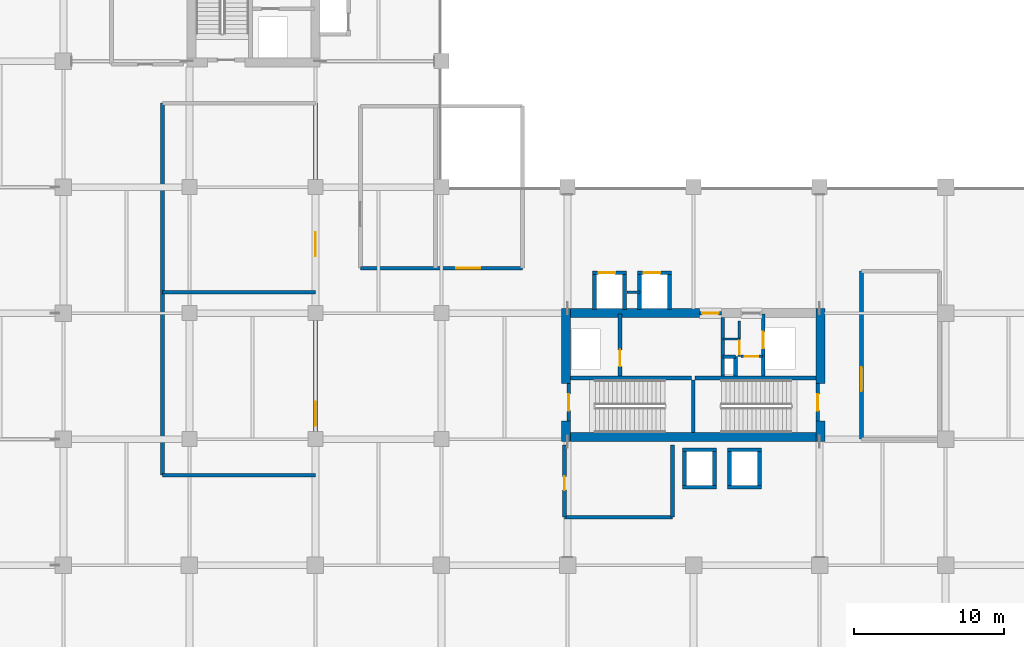
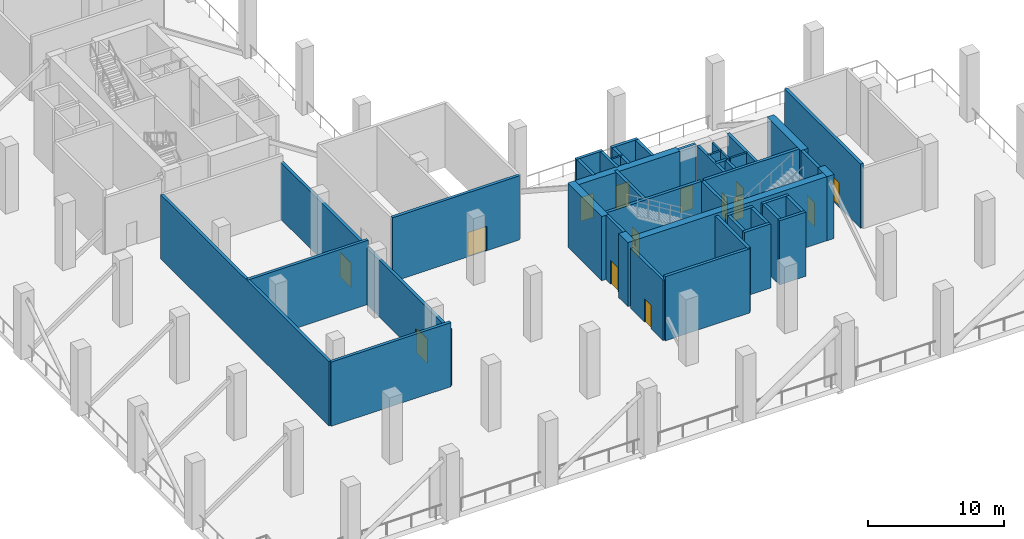
# One storey, part 11 of 18: 44 walls, 14 doors, 14 openings.
"""IFC4 building model written with IfcOpenShell, lengths in metres."""

from ifc_helpers import new_model, si_unit, direction, frame, frame_2d, origin, place, context, subcontext, project, spatial, rectangle, extrude, material, layer, layer_set, type_object, element, fill, save


model = new_model("IFC4")

# Units and contexts
model_context = context("Model", 3, precision=1e-05, world=origin(), true_north=direction((0.0, 1.0)))
body_context = subcontext(model_context, "Body", "Model", "MODEL_VIEW")
ifc_project = project(units=[si_unit("LENGTHUNIT", "METRE"), si_unit("AREAUNIT", "SQUARE_METRE"), si_unit("VOLUMEUNIT", "CUBIC_METRE"), si_unit("PLANEANGLEUNIT", "RADIAN"), si_unit("MASSUNIT", "GRAM", prefix="KILO")], contexts=[model_context])

# Site, building, storey
site_placement = place(None, origin())
site = spatial("IfcSite", under=ifc_project, at=site_placement, CompositionType="ELEMENT")
building_placement = place(site_placement, origin())
building = spatial("IfcBuilding", under=site, at=building_placement, Name="Koriwani Terraces Tower", CompositionType="ELEMENT")
storey_placement = place(building_placement, frame((0.0, 0.0, 228.199951171875)))
storey = spatial("IfcBuildingStorey", under=building, at=storey_placement, Name="L56", CompositionType="ELEMENT", Elevation=228.199951171875)

# Walls
ifc_material_1 = material(Name="Concrete C60/75", Category="concrete")
ifc_layer_1 = layer(ifc_material_1, 0.60009765625, Name="Concrete C60/75")
ifc_layer_set_1 = layer_set([ifc_layer_1], Name="Concrete C60/75")
wall_type_1 = type_object("IfcWallType", Name="WALL_CORE_RC_600", PredefinedType="SHEAR", material=ifc_layer_set_1)
wall_1_placement = place(storey_placement, frame((41.89990234375, 16.64990234375, 0.0), z_axis=(0.0, 0.0, 1.0), x_axis=(0.0, 1.0, 0.0)))
element("IfcWall", 1, at=wall_1_placement, inside=storey, type_object=wall_type_1, Name="L56 East Split Core Shear Wall W1", PredefinedType="SHEAR", context=body_context, shape_type="SweptSolid", body=[
    extrude(rectangle(XDim=1.35009765625, YDim=0.60009765625, at=frame_2d((0.675048828125, 0.0))), origin(), (0.0, 0.0, 1.0), 5.77001953125),
])
wall_2_placement = place(storey_placement, frame((41.89990234375, 20.5, 0.0), z_axis=(0.0, 0.0, 1.0), x_axis=(0.0, 1.0, 0.0)))
element("IfcWall", 2, at=wall_2_placement, inside=storey, type_object=wall_type_1, Name="L56 East Split Core Shear Wall W2", PredefinedType="SHEAR", context=body_context, shape_type="SweptSolid", body=[
    extrude(rectangle(XDim=5.0, YDim=0.60009765625, at=frame_2d((2.5, 0.0))), origin(), (0.0, 0.0, 1.0), 5.77001953125),
])
wall_3_placement = place(storey_placement, frame((58.85009765625, 16.64990234375, 0.0), z_axis=(0.0, 0.0, 1.0), x_axis=(0.0, 1.0, 0.0)))
element("IfcWall", 3, at=wall_3_placement, inside=storey, type_object=wall_type_1, Name="L56 East Split Core Shear Wall E1", PredefinedType="SHEAR", context=body_context, shape_type="SweptSolid", body=[
    extrude(rectangle(XDim=1.35009765625, YDim=0.60009765625, at=frame_2d((0.675048828125, 0.0))), origin(), (0.0, 0.0, 1.0), 5.77001953125),
])
wall_4_placement = place(storey_placement, frame((58.85009765625, 20.5, 0.0), z_axis=(0.0, 0.0, 1.0), x_axis=(0.0, 1.0, 0.0)))
element("IfcWall", 4, at=wall_4_placement, inside=storey, type_object=wall_type_1, Name="L56 East Split Core Shear Wall E2", PredefinedType="SHEAR", context=body_context, shape_type="SweptSolid", body=[
    extrude(rectangle(XDim=5.0, YDim=0.60009765625, at=frame_2d((2.5, 0.0))), origin(), (0.0, 0.0, 1.0), 5.77001953125),
])
wall_5_placement = place(storey_placement, frame((42.199951171875, 16.949951171875, 0.0), z_axis=(0.0, 0.0, 1.0), x_axis=(1.0, 0.0, 0.0)))
element("IfcWall", 5, at=wall_5_placement, inside=storey, type_object=wall_type_1, Name="L56 East Split Core Shear Wall S1", PredefinedType="SHEAR", context=body_context, shape_type="SweptSolid", body=[
    extrude(rectangle(XDim=16.35009765625, YDim=0.60009765625, at=frame_2d((8.175048828125, 0.0))), origin(), (0.0, 0.0, 1.0), 5.77001953125),
])
wall_6_placement = place(storey_placement, frame((42.199951171875, 25.199951171875, 0.0), z_axis=(0.0, 0.0, 1.0), x_axis=(1.0, 0.0, 0.0)))
element("IfcWall", 6, at=wall_6_placement, inside=storey, type_object=wall_type_1, Name="L56 East Split Core Shear Wall N1", PredefinedType="SHEAR", context=body_context, shape_type="SweptSolid", body=[
    extrude(rectangle(XDim=8.60009765625, YDim=0.60009765625, at=frame_2d((4.300048828125, 0.0))), origin(), (0.0, 0.0, 1.0), 5.77001953125),
])
ifc_material_2 = material(Name="Concrete C40/50", Category="concrete")
ifc_layer_2 = layer(ifc_material_2, 0.25, Name="Concrete C40/50")
ifc_layer_set_2 = layer_set([ifc_layer_2], Name="Concrete C40/50")
wall_type_2 = type_object("IfcWallType", Name="WALL_SHAFT_RATED_250", PredefinedType="SOLIDWALL", material=ifc_layer_set_2)
for number, where, z_axis, x_axis, name in (
    (7, (42.199951171875, 20.875, 0.0), (0.0, 0.0, 1.0), (1.0, 0.0, 0.0), "L56 East Split Core Web Wall MID1"),
    (8, (50.5, 20.875, 0.0), (0.0, 0.0, 1.0), (1.0, 0.0, 0.0), "L56 East Split Core Web Wall MID2"),
):
    element("IfcWall", number, at=place(storey_placement, frame(where, z_axis=z_axis, x_axis=x_axis)), inside=storey, type_object=wall_type_2, Name=name, PredefinedType="SOLIDWALL", context=body_context, shape_type="SweptSolid", body=[
        extrude(rectangle(XDim=8.050048828125, YDim=0.25, at=frame_2d((4.02490234375, 0.0))), origin(), (0.0, 0.0, 1.0), 5.77001953125),
    ])
wall_7_placement = place(storey_placement, frame((50.375, 17.25, 0.0), z_axis=(0.0, 0.0, 1.0), x_axis=(0.0, 1.0, 0.0)))
element("IfcWall", 9, at=wall_7_placement, inside=storey, type_object=wall_type_2, Name="L56 East Split Core Stair Dividing Wall", PredefinedType="SOLIDWALL", context=body_context, shape_type="SweptSolid", body=[
    extrude(rectangle(XDim=3.5, YDim=0.25, at=frame_2d((1.75, 0.0))), origin(), (0.0, 0.0, 1.0), 5.77001953125),
])

# Wall, opening, door
wall_8_placement = place(storey_placement, frame((42.074951171875, 18.0, 0.0), z_axis=(0.0, 0.0, 1.0), x_axis=(0.0, 1.0, 0.0)))
wall_8 = element("IfcWall", 10, at=wall_8_placement, inside=storey, type_object=wall_type_2, Name="L56 Interior Wall WIN-CE-L56-STW", PredefinedType="SOLIDWALL", context=body_context, shape_type="SweptSolid", body=[
    extrude(rectangle(XDim=2.5, YDim=0.25, at=frame_2d((1.25, 0.0))), origin(), (0.0, 0.0, 1.0), 5.77001953125),
])
opening_1_placement = place(wall_8_placement, frame((0.699951171875, 0.0, 0.0)))
opening_1 = element("IfcOpeningElement", 11, at=opening_1_placement, cuts=wall_8, Name="Opening D-03", PredefinedType="OPENING", context=body_context, shape_type="SweptSolid", body=[
    extrude(rectangle(XDim=1.10009765625, YDim=2.14990234375, at=frame_2d((0.550048828125, 1.074951171875))), frame((0.0, 0.135009765625, 0.0), z_axis=(0.0, -1.0, 0.0), x_axis=(1.0, 0.0, 0.0)), (0.0, 0.0, 1.0), 0.27001953125),
])
ifc_material_3 = material(Name="Steel ASTM A572 Grade 50", Category="steel")
door_type_1 = type_object("IfcDoorType", Name="DOOR_STAIR_FIRE_1100X2150", OperationType="NOTDEFINED", PredefinedType="DOOR", material=ifc_material_3)
door_1_placement = place(opening_1_placement, origin())
door_1 = element("IfcDoor", 12, at=door_1_placement, inside=storey, type_object=door_type_1, Name="L56 Exit Stair ST-E1 Door", OperationType="SINGLE_SWING_LEFT", OverallHeight=2.14990234375, OverallWidth=1.10009765625, PredefinedType="DOOR", context=body_context, shape_type="SweptSolid", body=[
    extrude(rectangle(XDim=1.10009765625, YDim=2.14990234375, at=frame_2d((0.550048828125, 1.074951171875))), frame((0.0, 0.02490234375, 0.0), z_axis=(0.0, -1.0, 0.0), x_axis=(1.0, 0.0, 0.0)), (0.0, 0.0, 1.0), 0.050048828125),
])
fill(opening_1, door_1)

wall_9_placement = place(storey_placement, frame((58.675048828125, 18.0, 0.0), z_axis=(0.0, 0.0, 1.0), x_axis=(0.0, 1.0, 0.0)))
wall_9 = element("IfcWall", 13, at=wall_9_placement, inside=storey, type_object=wall_type_2, Name="L56 Interior Wall WIN-CE-L56-STE", PredefinedType="SOLIDWALL", context=body_context, shape_type="SweptSolid", body=[
    extrude(rectangle(XDim=2.5, YDim=0.25, at=frame_2d((1.25, 0.0))), origin(), (0.0, 0.0, 1.0), 5.77001953125),
])
opening_2_placement = place(wall_9_placement, frame((0.699951171875, 0.0, 0.0)))
opening_2 = element("IfcOpeningElement", 14, at=opening_2_placement, cuts=wall_9, Name="Opening D-03", PredefinedType="OPENING", context=body_context, shape_type="SweptSolid", body=[
    extrude(rectangle(XDim=1.10009765625, YDim=2.14990234375, at=frame_2d((0.550048828125, 1.074951171875))), frame((0.0, 0.135009765625, 0.0), z_axis=(0.0, -1.0, 0.0), x_axis=(1.0, 0.0, 0.0)), (0.0, 0.0, 1.0), 0.27001953125),
])
door_2_placement = place(opening_2_placement, origin())
door_2 = element("IfcDoor", 15, at=door_2_placement, inside=storey, type_object=door_type_1, Name="L56 Exit Stair ST-E2 Door", OperationType="SINGLE_SWING_RIGHT", OverallHeight=2.14990234375, OverallWidth=1.10009765625, PredefinedType="DOOR", context=body_context, shape_type="SweptSolid", body=[
    extrude(rectangle(XDim=1.10009765625, YDim=2.14990234375, at=frame_2d((0.550048828125, 1.074951171875))), frame((0.0, 0.02490234375, 0.0), z_axis=(0.0, -1.0, 0.0), x_axis=(1.0, 0.0, 0.0)), (0.0, 0.0, 1.0), 0.050048828125),
])
fill(opening_2, door_2)

wall_10_placement = place(storey_placement, frame((45.5, 21.0, 0.0), z_axis=(0.0, 0.0, 1.0), x_axis=(0.0, 1.0, 0.0)))
wall_10 = element("IfcWall", 16, at=wall_10_placement, inside=storey, type_object=wall_type_2, Name="L56 Interior Wall WIN-CE-L56-FE", PredefinedType="SOLIDWALL", context=body_context, shape_type="SweptSolid", body=[
    extrude(rectangle(XDim=4.14990234375, YDim=0.25, at=frame_2d((2.074951171875, 0.0))), origin(), (0.0, 0.0, 1.0), 5.77001953125),
])
opening_3_placement = place(wall_10_placement, frame((0.64990234375, 0.0, 0.0)))
opening_3 = element("IfcOpeningElement", 17, at=opening_3_placement, cuts=wall_10, Name="Opening LD-01", PredefinedType="OPENING", context=body_context, shape_type="SweptSolid", body=[
    extrude(rectangle(XDim=1.10009765625, YDim=2.14990234375, at=frame_2d((0.550048828125, 1.074951171875))), frame((0.0, 0.135009765625, 0.0), z_axis=(0.0, -1.0, 0.0), x_axis=(1.0, 0.0, 0.0)), (0.0, 0.0, 1.0), 0.27001953125),
])
door_type_2 = type_object("IfcDoorType", Name="DOOR_LIFT_LANDING_1100X2200", OperationType="NOTDEFINED", PredefinedType="DOOR", material=ifc_material_3)
door_3_placement = place(opening_3_placement, origin())
door_3 = element("IfcDoor", 18, at=door_3_placement, inside=storey, type_object=door_type_2, Name="L56 Firefighting Lift FE-02 Landing Door", OperationType="SLIDING_TO_LEFT", OverallHeight=2.14990234375, OverallWidth=1.10009765625, PredefinedType="DOOR", context=body_context, shape_type="SweptSolid", body=[
    extrude(rectangle(XDim=1.10009765625, YDim=2.14990234375, at=frame_2d((0.550048828125, 1.074951171875))), frame((0.0, 0.02490234375, 0.0), z_axis=(0.0, -1.0, 0.0), x_axis=(1.0, 0.0, 0.0)), (0.0, 0.0, 1.0), 0.050048828125),
])
fill(opening_3, door_3)

wall_11_placement = place(storey_placement, frame((50.800048828125, 25.199951171875, 0.0), z_axis=(0.0, 0.0, 1.0), x_axis=(1.0, 0.0, 0.0)))
wall_11 = element("IfcWall", 19, at=wall_11_placement, inside=storey, type_object=wall_type_2, Name="L56 Interior Wall WIN-CE-L56-NP", PredefinedType="SOLIDWALL", context=body_context, shape_type="SweptSolid", body=[
    extrude(rectangle(XDim=1.47998046875, YDim=0.25, at=frame_2d((0.739990234375, 0.0))), origin(), (0.0, 0.0, 1.0), 5.77001953125),
])
opening_4_placement = place(wall_11_placement, frame((0.179931640625, 0.0, 0.0)))
opening_4 = element("IfcOpeningElement", 20, at=opening_4_placement, cuts=wall_11, Name="Opening D-03", PredefinedType="OPENING", context=body_context, shape_type="SweptSolid", body=[
    extrude(rectangle(XDim=1.10009765625, YDim=2.14990234375, at=frame_2d((0.550048828125, 1.074951171875))), frame((0.0, 0.135009765625, 0.0), z_axis=(0.0, -1.0, 0.0), x_axis=(1.0, 0.0, 0.0)), (0.0, 0.0, 1.0), 0.27001953125),
])
door_4_placement = place(opening_4_placement, origin())
door_4 = element("IfcDoor", 21, at=door_4_placement, inside=storey, type_object=door_type_1, Name="L56 East Firefighting Lobby Door", OperationType="SINGLE_SWING_LEFT", OverallHeight=2.14990234375, OverallWidth=1.10009765625, PredefinedType="DOOR", context=body_context, shape_type="SweptSolid", body=[
    extrude(rectangle(XDim=1.10009765625, YDim=2.14990234375, at=frame_2d((0.550048828125, 1.074951171875))), frame((0.0, 0.02490234375, 0.0), z_axis=(0.0, -1.0, 0.0), x_axis=(1.0, 0.0, 0.0)), (0.0, 0.0, 1.0), 0.050048828125),
])
fill(opening_4, door_4)

# Wall
wall_12_placement = place(storey_placement, frame((52.340087890625, 21.0, 0.0), z_axis=(0.0, 0.0, 1.0), x_axis=(0.0, 1.0, 0.0)))
element("IfcWall", 22, at=wall_12_placement, inside=storey, type_object=wall_type_2, Name="L56 Interior Wall WIN-CE-L56-FFE", PredefinedType="SOLIDWALL", context=body_context, shape_type="SweptSolid", body=[
    extrude(rectangle(XDim=3.89990234375, YDim=0.25, at=frame_2d((1.949951171875, 0.0))), origin(), (0.0, 0.0, 1.0), 5.77001953125),
])

# Wall, opening, door
wall_13_placement = place(storey_placement, frame((55.050048828125, 21.0, 0.0), z_axis=(0.0, 0.0, 1.0), x_axis=(0.0, 1.0, 0.0)))
wall_13 = element("IfcWall", 23, at=wall_13_placement, inside=storey, type_object=wall_type_2, Name="L56 Interior Wall WIN-CE-L56-SE", PredefinedType="SOLIDWALL", context=body_context, shape_type="SweptSolid", body=[
    extrude(rectangle(XDim=4.14990234375, YDim=0.25, at=frame_2d((2.074951171875, 0.0))), origin(), (0.0, 0.0, 1.0), 5.77001953125),
])
opening_5_placement = place(wall_13_placement, frame((1.85009765625, 0.0, 0.0)))
opening_5 = element("IfcOpeningElement", 24, at=opening_5_placement, cuts=wall_13, Name="Opening LD-01", PredefinedType="OPENING", context=body_context, shape_type="SweptSolid", body=[
    extrude(rectangle(XDim=1.10009765625, YDim=2.14990234375, at=frame_2d((0.550048828125, 1.074951171875))), frame((0.0, 0.135009765625, 0.0), z_axis=(0.0, -1.0, 0.0), x_axis=(1.0, 0.0, 0.0)), (0.0, 0.0, 1.0), 0.27001953125),
])
door_5_placement = place(opening_5_placement, origin())
door_5 = element("IfcDoor", 25, at=door_5_placement, inside=storey, type_object=door_type_2, Name="L56 Goods Lift SE-02 Landing Door", OperationType="SLIDING_TO_LEFT", OverallHeight=2.14990234375, OverallWidth=1.10009765625, PredefinedType="DOOR", context=body_context, shape_type="SweptSolid", body=[
    extrude(rectangle(XDim=1.10009765625, YDim=2.14990234375, at=frame_2d((0.550048828125, 1.074951171875))), frame((0.0, 0.02490234375, 0.0), z_axis=(0.0, -1.0, 0.0), x_axis=(1.0, 0.0, 0.0)), (0.0, 0.0, 1.0), 0.050048828125),
])
fill(opening_5, door_5)

# Walls
wall_14_placement = place(storey_placement, frame((53.199951171875, 21.0, 0.0), z_axis=(0.0, 0.0, 1.0), x_axis=(0.0, 1.0, 0.0)))
element("IfcWall", 26, at=wall_14_placement, inside=storey, type_object=wall_type_2, Name="L56 Interior Wall WIN-CE-L56-RS1", PredefinedType="SOLIDWALL", context=body_context, shape_type="SweptSolid", body=[
    extrude(rectangle(XDim=1.300048828125, YDim=0.25, at=frame_2d((0.64990234375, 0.0))), origin(), (0.0, 0.0, 1.0), 5.77001953125),
])
wall_15_placement = place(storey_placement, frame((52.360107421875, 22.300048828125, 0.0), z_axis=(0.0, 0.0, 1.0), x_axis=(1.0, 0.0, 0.0)))
element("IfcWall", 27, at=wall_15_placement, inside=storey, type_object=wall_type_2, Name="L56 Interior Wall WIN-CE-L56-RS2", PredefinedType="SOLIDWALL", context=body_context, shape_type="SweptSolid", body=[
    extrude(rectangle(XDim=0.83984375, YDim=0.25, at=frame_2d((0.419921875, 0.0))), origin(), (0.0, 0.0, 1.0), 5.77001953125),
])
for number, where, z_axis, x_axis, name in (
    (28, (49.675048828125, 13.60009765625, 0.0), (0.0, 0.0, 1.0), (1.0, 0.0, 0.0), "L56 Interior Wall WIN-LF-PE-M3-L56-F"),
    (29, (49.675048828125, 16.10009765625, 0.0), (0.0, 0.0, 1.0), (1.0, 0.0, 0.0), "L56 Interior Wall WIN-LF-PE-M3-L56-B"),
    (30, (49.800048828125, 13.72509765625, 0.0), (0.0, 0.0, 1.0), (0.0, 1.0, 0.0), "L56 Interior Wall WIN-LF-PE-M3-L56-W"),
    (31, (51.800048828125, 13.72509765625, 0.0), (0.0, 0.0, 1.0), (0.0, 1.0, 0.0), "L56 Interior Wall WIN-LF-PE-M3-L56-E"),
    (32, (52.675048828125, 13.60009765625, 0.0), (0.0, 0.0, 1.0), (1.0, 0.0, 0.0), "L56 Interior Wall WIN-LF-PE-M4-L56-F"),
    (33, (52.675048828125, 16.10009765625, 0.0), (0.0, 0.0, 1.0), (1.0, 0.0, 0.0), "L56 Interior Wall WIN-LF-PE-M4-L56-B"),
    (34, (52.800048828125, 13.72509765625, 0.0), (0.0, 0.0, 1.0), (0.0, 1.0, 0.0), "L56 Interior Wall WIN-LF-PE-M4-L56-W"),
    (35, (54.800048828125, 13.72509765625, 0.0), (0.0, 0.0, 1.0), (0.0, 1.0, 0.0), "L56 Interior Wall WIN-LF-PE-M4-L56-E"),
):
    element("IfcWall", number, at=place(storey_placement, frame(where, z_axis=z_axis, x_axis=x_axis)), inside=storey, type_object=wall_type_2, Name=name, PredefinedType="SOLIDWALL", context=body_context, shape_type="SweptSolid", body=[
        extrude(rectangle(XDim=2.25, YDim=0.25, at=frame_2d((1.125, 0.0))), origin(), (0.0, 0.0, 1.0), 5.77001953125),
    ])

# Wall, opening, door
wall_16_placement = place(storey_placement, frame((43.675048828125, 27.89990234375, 0.0), z_axis=(0.0, 0.0, 1.0), x_axis=(1.0, 0.0, 0.0)))
wall_16 = element("IfcWall", 36, at=wall_16_placement, inside=storey, type_object=wall_type_2, Name="L56 Interior Wall WIN-LF-PE-H3-L56-F", PredefinedType="SOLIDWALL", context=body_context, shape_type="SweptSolid", body=[
    extrude(rectangle(XDim=2.25, YDim=0.25, at=frame_2d((1.125, 0.0))), origin(), (0.0, 0.0, 1.0), 5.77001953125),
])
opening_6_placement = place(wall_16_placement, frame((0.39990234375, 0.0, 0.0)))
opening_6 = element("IfcOpeningElement", 37, at=opening_6_placement, cuts=wall_16, Name="Opening LD-01", PredefinedType="OPENING", context=body_context, shape_type="SweptSolid", body=[
    extrude(rectangle(XDim=1.10009765625, YDim=2.14990234375, at=frame_2d((0.550048828125, 1.074951171875))), frame((0.0, 0.135009765625, 0.0), z_axis=(0.0, -1.0, 0.0), x_axis=(1.0, 0.0, 0.0)), (0.0, 0.0, 1.0), 0.27001953125),
])
door_6_placement = place(opening_6_placement, origin())
door_6 = element("IfcDoor", 38, at=door_6_placement, inside=storey, type_object=door_type_2, Name="L56 Passenger Lift PE-H3 Landing Door", OperationType="SLIDING_TO_LEFT", OverallHeight=2.14990234375, OverallWidth=1.10009765625, PredefinedType="DOOR", context=body_context, shape_type="SweptSolid", body=[
    extrude(rectangle(XDim=1.10009765625, YDim=2.14990234375, at=frame_2d((0.550048828125, 1.074951171875))), frame((0.0, 0.02490234375, 0.0), z_axis=(0.0, -1.0, 0.0), x_axis=(1.0, 0.0, 0.0)), (0.0, 0.0, 1.0), 0.050048828125),
])
fill(opening_6, door_6)

# Walls
for number, where, z_axis, x_axis, name in (
    (39, (43.800048828125, 25.449951171875, 0.0), (0.0, 0.0, 1.0), (0.0, 1.0, 0.0), "L56 Interior Wall WIN-LF-PE-H3-L56-W"),
    (40, (45.800048828125, 25.449951171875, 0.0), (0.0, 0.0, 1.0), (0.0, 1.0, 0.0), "L56 Interior Wall WIN-LF-PE-H3-L56-E"),
):
    element("IfcWall", number, at=place(storey_placement, frame(where, z_axis=z_axis, x_axis=x_axis)), inside=storey, type_object=wall_type_2, Name=name, PredefinedType="SOLIDWALL", context=body_context, shape_type="SweptSolid", body=[
        extrude(rectangle(XDim=2.324951171875, YDim=0.25, at=frame_2d((1.16259765625, 0.0))), origin(), (0.0, 0.0, 1.0), 5.77001953125),
    ])

# Wall, opening, door
wall_17_placement = place(storey_placement, frame((46.675048828125, 27.89990234375, 0.0), z_axis=(0.0, 0.0, 1.0), x_axis=(1.0, 0.0, 0.0)))
wall_17 = element("IfcWall", 41, at=wall_17_placement, inside=storey, type_object=wall_type_2, Name="L56 Interior Wall WIN-LF-PE-H4-L56-F", PredefinedType="SOLIDWALL", context=body_context, shape_type="SweptSolid", body=[
    extrude(rectangle(XDim=2.25, YDim=0.25, at=frame_2d((1.125, 0.0))), origin(), (0.0, 0.0, 1.0), 5.77001953125),
])
opening_7_placement = place(wall_17_placement, frame((0.39990234375, 0.0, 0.0)))
opening_7 = element("IfcOpeningElement", 42, at=opening_7_placement, cuts=wall_17, Name="Opening LD-01", PredefinedType="OPENING", context=body_context, shape_type="SweptSolid", body=[
    extrude(rectangle(XDim=1.10009765625, YDim=2.14990234375, at=frame_2d((0.550048828125, 1.074951171875))), frame((0.0, 0.135009765625, 0.0), z_axis=(0.0, -1.0, 0.0), x_axis=(1.0, 0.0, 0.0)), (0.0, 0.0, 1.0), 0.27001953125),
])
door_7_placement = place(opening_7_placement, origin())
door_7 = element("IfcDoor", 43, at=door_7_placement, inside=storey, type_object=door_type_2, Name="L56 Passenger Lift PE-H4 Landing Door", OperationType="SLIDING_TO_LEFT", OverallHeight=2.14990234375, OverallWidth=1.10009765625, PredefinedType="DOOR", context=body_context, shape_type="SweptSolid", body=[
    extrude(rectangle(XDim=1.10009765625, YDim=2.14990234375, at=frame_2d((0.550048828125, 1.074951171875))), frame((0.0, 0.02490234375, 0.0), z_axis=(0.0, -1.0, 0.0), x_axis=(1.0, 0.0, 0.0)), (0.0, 0.0, 1.0), 0.050048828125),
])
fill(opening_7, door_7)

# Walls
for number, where, z_axis, x_axis, name in (
    (44, (46.800048828125, 25.449951171875, 0.0), (0.0, 0.0, 1.0), (0.0, 1.0, 0.0), "L56 Interior Wall WIN-LF-PE-H4-L56-W"),
    (45, (48.800048828125, 25.449951171875, 0.0), (0.0, 0.0, 1.0), (0.0, 1.0, 0.0), "L56 Interior Wall WIN-LF-PE-H4-L56-E"),
):
    element("IfcWall", number, at=place(storey_placement, frame(where, z_axis=z_axis, x_axis=x_axis)), inside=storey, type_object=wall_type_2, Name=name, PredefinedType="SOLIDWALL", context=body_context, shape_type="SweptSolid", body=[
        extrude(rectangle(XDim=2.324951171875, YDim=0.25, at=frame_2d((1.16259765625, 0.0))), origin(), (0.0, 0.0, 1.0), 5.77001953125),
    ])

# Wall, opening, door
wall_18_placement = place(storey_placement, frame((61.60009765625, 16.800048828125, 0.0), z_axis=(0.0, 0.0, 1.0), x_axis=(0.0, 1.0, 0.0)))
wall_18 = element("IfcWall", 46, at=wall_18_placement, inside=storey, type_object=wall_type_2, Name="L56 Interior Wall WREF-E1-L56", PredefinedType="SOLIDWALL", context=body_context, shape_type="SweptSolid", body=[
    extrude(rectangle(XDim=11.199951171875, YDim=0.25, at=frame_2d((5.60009765625, 0.0))), origin(), (0.0, 0.0, 1.0), 5.77001953125),
])
opening_8_placement = place(wall_18_placement, frame((3.199951171875, 0.0, 0.0)))
opening_8 = element("IfcOpeningElement", 47, at=opening_8_placement, cuts=wall_18, Name="Opening D-08", PredefinedType="OPENING", context=body_context, shape_type="SweptSolid", body=[
    extrude(rectangle(XDim=1.60009765625, YDim=2.199951171875, at=frame_2d((0.800048828125, 1.10009765625))), frame((0.0, 0.135009765625, 0.0), z_axis=(0.0, -1.0, 0.0), x_axis=(1.0, 0.0, 0.0)), (0.0, 0.0, 1.0), 0.27001953125),
])
door_type_3 = type_object("IfcDoorType", Name="DOOR_PLANT_DOUBLE_1600X2200", OperationType="NOTDEFINED", PredefinedType="DOOR", material=ifc_material_3)
door_8_placement = place(opening_8_placement, origin())
door_8 = element("IfcDoor", 48, at=door_8_placement, inside=storey, type_object=door_type_3, Name="L56 East Fire Refuge Area Door", OperationType="SINGLE_SWING_LEFT", OverallHeight=2.199951171875, OverallWidth=1.60009765625, PredefinedType="DOOR", context=body_context, shape_type="SweptSolid", body=[
    extrude(rectangle(XDim=1.60009765625, YDim=2.199951171875, at=frame_2d((0.800048828125, 1.10009765625))), frame((0.0, 0.02490234375, 0.0), z_axis=(0.0, -1.0, 0.0), x_axis=(1.0, 0.0, 0.0)), (0.0, 0.0, 1.0), 0.050048828125),
])
fill(opening_8, door_8)

# Wall, openings, doors
wall_19_placement = place(storey_placement, frame((25.199951171875, 14.39990234375, 0.0), z_axis=(0.0, 0.0, 1.0), x_axis=(0.0, 1.0, 0.0)))
wall_19 = element("IfcWall", 49, at=wall_19_placement, inside=storey, type_object=wall_type_2, Name="L56 Interior Wall WPL-L56-E", PredefinedType="SOLIDWALL", context=body_context, shape_type="SweptSolid", body=[
    extrude(rectangle(XDim=24.800048828125, YDim=0.25, at=frame_2d((12.39990234375, 0.0))), origin(), (0.0, 0.0, 1.0), 5.1201171875),
])
opening_9_placement = place(wall_19_placement, frame((3.300048828125, 0.0, 0.0)))
opening_9 = element("IfcOpeningElement", 50, at=opening_9_placement, cuts=wall_19, Name="Opening D-08", PredefinedType="OPENING", context=body_context, shape_type="SweptSolid", body=[
    extrude(rectangle(XDim=1.60009765625, YDim=2.199951171875, at=frame_2d((0.800048828125, 1.10009765625))), frame((0.0, 0.135009765625, 0.0), z_axis=(0.0, -1.0, 0.0), x_axis=(1.0, 0.0, 0.0)), (0.0, 0.0, 1.0), 0.27001953125),
])
opening_10_placement = place(wall_19_placement, frame((14.60009765625, 0.0, 0.0)))
opening_10 = element("IfcOpeningElement", 51, at=opening_10_placement, cuts=wall_19, Name="Opening D-08", PredefinedType="OPENING", context=body_context, shape_type="SweptSolid", body=[
    extrude(rectangle(XDim=1.60009765625, YDim=2.199951171875, at=frame_2d((0.800048828125, 1.10009765625))), frame((0.0, 0.135009765625, 0.0), z_axis=(0.0, -1.0, 0.0), x_axis=(1.0, 0.0, 0.0)), (0.0, 0.0, 1.0), 0.27001953125),
])
door_9_placement = place(opening_9_placement, origin())
door_9 = element("IfcDoor", 52, at=door_9_placement, inside=storey, type_object=door_type_3, Name="L56 Chiller Plant Room Door", OperationType="SINGLE_SWING_RIGHT", OverallHeight=2.199951171875, OverallWidth=1.60009765625, PredefinedType="DOOR", context=body_context, shape_type="SweptSolid", body=[
    extrude(rectangle(XDim=1.60009765625, YDim=2.199951171875, at=frame_2d((0.800048828125, 1.10009765625))), frame((0.0, 0.02490234375, 0.0), z_axis=(0.0, -1.0, 0.0), x_axis=(1.0, 0.0, 0.0)), (0.0, 0.0, 1.0), 0.050048828125),
])
fill(opening_9, door_9)
door_10_placement = place(opening_10_placement, origin())
door_10 = element("IfcDoor", 53, at=door_10_placement, inside=storey, type_object=door_type_3, Name="L56 AHU Fan Room Door", OperationType="SINGLE_SWING_LEFT", OverallHeight=2.199951171875, OverallWidth=1.60009765625, PredefinedType="DOOR", context=body_context, shape_type="SweptSolid", body=[
    extrude(rectangle(XDim=1.60009765625, YDim=2.199951171875, at=frame_2d((0.800048828125, 1.10009765625))), frame((0.0, 0.02490234375, 0.0), z_axis=(0.0, -1.0, 0.0), x_axis=(1.0, 0.0, 0.0)), (0.0, 0.0, 1.0), 0.050048828125),
])
fill(opening_10, door_10)

# Walls
wall_20_placement = place(storey_placement, frame((15.0, 14.39990234375, 0.0), z_axis=(0.0, 0.0, 1.0), x_axis=(0.0, 1.0, 0.0)))
element("IfcWall", 54, at=wall_20_placement, inside=storey, type_object=wall_type_2, Name="L56 Interior Wall WPL-L56-W", PredefinedType="SOLIDWALL", context=body_context, shape_type="SweptSolid", body=[
    extrude(rectangle(XDim=24.800048828125, YDim=0.25, at=frame_2d((12.39990234375, 0.0))), origin(), (0.0, 0.0, 1.0), 5.77001953125),
])
for number, where, z_axis, x_axis, name in (
    (55, (15.0, 14.39990234375, 0.0), (0.0, 0.0, 1.0), (1.0, 0.0, 0.0), "L56 Interior Wall WPL-L56-S"),
    (56, (15.0, 26.60009765625, 0.0), (0.0, 0.0, 1.0), (1.0, 0.0, 0.0), "L56 Interior Wall WPL-L56-M"),
):
    element("IfcWall", number, at=place(storey_placement, frame(where, z_axis=z_axis, x_axis=x_axis)), inside=storey, type_object=wall_type_2, Name=name, PredefinedType="SOLIDWALL", context=body_context, shape_type="SweptSolid", body=[
        extrude(rectangle(XDim=10.199951171875, YDim=0.25, at=frame_2d((5.10009765625, 0.0))), origin(), (0.0, 0.0, 1.0), 5.77001953125),
    ])

# Wall, opening, door
wall_21_placement = place(storey_placement, frame((28.199951171875, 28.199951171875, 0.0), z_axis=(0.0, 0.0, 1.0), x_axis=(1.0, 0.0, 0.0)))
wall_21 = element("IfcWall", 57, at=wall_21_placement, inside=storey, type_object=wall_type_2, Name="L56 Interior Wall WPL2-L56-S", PredefinedType="SOLIDWALL", context=body_context, shape_type="SweptSolid", body=[
    extrude(rectangle(XDim=10.800048828125, YDim=0.25, at=frame_2d((5.39990234375, 0.0))), origin(), (0.0, 0.0, 1.0), 5.77001953125),
])
opening_11_placement = place(wall_21_placement, frame((6.39990234375, 0.0, 0.0)))
opening_11 = element("IfcOpeningElement", 58, at=opening_11_placement, cuts=wall_21, Name="Opening D-08", PredefinedType="OPENING", context=body_context, shape_type="SweptSolid", body=[
    extrude(rectangle(XDim=1.60009765625, YDim=2.199951171875, at=frame_2d((0.800048828125, 1.10009765625))), frame((0.0, 0.135009765625, 0.0), z_axis=(0.0, -1.0, 0.0), x_axis=(1.0, 0.0, 0.0)), (0.0, 0.0, 1.0), 0.27001953125),
])
door_11_placement = place(opening_11_placement, origin())
door_11 = element("IfcDoor", 59, at=door_11_placement, inside=storey, type_object=door_type_3, Name="L56 Electrical Transformer Room Door", OperationType="SINGLE_SWING_LEFT", OverallHeight=2.199951171875, OverallWidth=1.60009765625, PredefinedType="DOOR", context=body_context, shape_type="SweptSolid", body=[
    extrude(rectangle(XDim=1.60009765625, YDim=2.199951171875, at=frame_2d((0.800048828125, 1.10009765625))), frame((0.0, 0.02490234375, 0.0), z_axis=(0.0, -1.0, 0.0), x_axis=(1.0, 0.0, 0.0)), (0.0, 0.0, 1.0), 0.050048828125),
])
fill(opening_11, door_11)

wall_22_placement = place(storey_placement, frame((41.800048828125, 11.60009765625, 0.0), z_axis=(0.0, 0.0, 1.0), x_axis=(0.0, 1.0, 0.0)))
wall_22 = element("IfcWall", 60, at=wall_22_placement, inside=storey, type_object=wall_type_2, Name="L56 Interior Wall WPL-RECE1-L56", PredefinedType="SOLIDWALL", context=body_context, shape_type="SweptSolid", body=[
    extrude(rectangle(XDim=4.7998046875, YDim=0.25, at=frame_2d((2.39990234375, 0.0))), origin(), (0.0, 0.0, 1.0), 5.406982421875),
])
opening_12_placement = place(wall_22_placement, frame((1.800048828125, 0.0, 0.0)))
opening_12 = element("IfcOpeningElement", 61, at=opening_12_placement, cuts=wall_22, Name="Opening D-06", PredefinedType="OPENING", context=body_context, shape_type="SweptSolid", body=[
    extrude(rectangle(XDim=0.919921875, YDim=2.10009765625, at=frame_2d((0.4599609375, 1.050048828125))), frame((0.0, 0.135009765625, 0.0), z_axis=(0.0, -1.0, 0.0), x_axis=(1.0, 0.0, 0.0)), (0.0, 0.0, 1.0), 0.27001953125),
])
ifc_material_4 = material(Name="Architectural Oak Fire Door", Category="wood")
door_type_4 = type_object("IfcDoorType", Name="DOOR_ROOM_INT_920X2100", OperationType="NOTDEFINED", PredefinedType="DOOR", material=ifc_material_4)
door_12_placement = place(opening_12_placement, origin())
door_12 = element("IfcDoor", 62, at=door_12_placement, inside=storey, type_object=door_type_4, Name="L56 Reclaimed East Telemetry Room Door", OperationType="SINGLE_SWING_LEFT", OverallHeight=2.10009765625, OverallWidth=0.919921875, PredefinedType="DOOR", context=body_context, shape_type="SweptSolid", body=[
    extrude(rectangle(XDim=0.919921875, YDim=2.10009765625, at=frame_2d((0.4599609375, 1.050048828125))), frame((0.0, 0.02490234375, 0.0), z_axis=(0.0, -1.0, 0.0), x_axis=(1.0, 0.0, 0.0)), (0.0, 0.0, 1.0), 0.050048828125),
])
fill(opening_12, door_12)

# Walls
wall_23_placement = place(storey_placement, frame((41.800048828125, 11.60009765625, 0.0), z_axis=(0.0, 0.0, 1.0), x_axis=(1.0, 0.0, 0.0)))
element("IfcWall", 63, at=wall_23_placement, inside=storey, type_object=wall_type_2, Name="L56 Interior Wall WPL-RECE2-L56", PredefinedType="SOLIDWALL", context=body_context, shape_type="SweptSolid", body=[
    extrude(rectangle(XDim=7.199951171875, YDim=0.25, at=frame_2d((3.60009765625, 0.0))), origin(), (0.0, 0.0, 1.0), 5.77001953125),
])
wall_24_placement = place(storey_placement, frame((49.0, 11.60009765625, 0.0), z_axis=(0.0, 0.0, 1.0), x_axis=(0.0, 1.0, 0.0)))
element("IfcWall", 64, at=wall_24_placement, inside=storey, type_object=wall_type_2, Name="L56 Interior Wall WPL-RECE3-L56", PredefinedType="SOLIDWALL", context=body_context, shape_type="SweptSolid", body=[
    extrude(rectangle(XDim=4.7998046875, YDim=0.25, at=frame_2d((2.39990234375, 0.0))), origin(), (0.0, 0.0, 1.0), 5.77001953125),
])

# Wall, opening, door
ifc_material_5 = material(Name="Fire-Rated Acoustic Gypsum Partition", Category="masonry")
ifc_layer_3 = layer(ifc_material_5, 0.159912109375, Name="Fire-Rated Acoustic Gypsum Partition")
ifc_layer_set_3 = layer_set([ifc_layer_3], Name="Fire-Rated Acoustic Gypsum Partition")
wall_type_3 = type_object("IfcWallType", Name="WALL_SUITE_160", PredefinedType="PARTITIONING", material=ifc_layer_set_3)
wall_25_placement = place(storey_placement, frame((53.56005859375, 22.320068359375, 0.0), z_axis=(0.0, 0.0, 1.0), x_axis=(1.0, 0.0, 0.0)))
wall_25 = element("IfcWall", 65, at=wall_25_placement, inside=storey, type_object=wall_type_3, Name="L56 Interior Wall WIN-CE-L56-SV2A", PredefinedType="PARTITIONING", context=body_context, shape_type="SweptSolid", body=[
    extrude(rectangle(XDim=1.43994140625, YDim=0.159912109375, at=frame_2d((0.719970703125, 0.0))), origin(), (0.0, 0.0, 1.0), 5.77001953125),
])
opening_13_placement = place(wall_25_placement, frame((0.260009765625, 0.0, 0.0)))
opening_13 = element("IfcOpeningElement", 66, at=opening_13_placement, cuts=wall_25, Name="Opening D-07", PredefinedType="OPENING", context=body_context, shape_type="SweptSolid", body=[
    extrude(rectangle(XDim=0.89990234375, YDim=2.10009765625, at=frame_2d((0.449951171875, 1.050048828125))), frame((0.0, 0.08984375, 0.0), z_axis=(0.0, -1.0, 0.0), x_axis=(1.0, 0.0, 0.0)), (0.0, 0.0, 1.0), 0.179931640625),
])
door_type_5 = type_object("IfcDoorType", Name="DOOR_BATH_INT_900X2100", OperationType="NOTDEFINED", PredefinedType="DOOR", material=ifc_material_4)
door_13_placement = place(opening_13_placement, origin())
door_13 = element("IfcDoor", 67, at=door_13_placement, inside=storey, type_object=door_type_5, Name="L56 East Meter Room Door", OperationType="SINGLE_SWING_LEFT", OverallHeight=2.10009765625, OverallWidth=0.89990234375, PredefinedType="DOOR", context=body_context, shape_type="SweptSolid", body=[
    extrude(rectangle(XDim=0.89990234375, YDim=2.10009765625, at=frame_2d((0.449951171875, 1.050048828125))), frame((0.0, 0.02490234375, 0.0), z_axis=(0.0, -1.0, 0.0), x_axis=(1.0, 0.0, 0.0)), (0.0, 0.0, 1.0), 0.050048828125),
])
fill(opening_13, door_13)

wall_26_placement = place(storey_placement, frame((53.4599609375, 22.320068359375, 0.0), z_axis=(0.0, 0.0, 1.0), x_axis=(0.0, 1.0, 0.0)))
wall_26 = element("IfcWall", 68, at=wall_26_placement, inside=storey, type_object=wall_type_3, Name="L56 Interior Wall WIN-CE-L56-SV2H", PredefinedType="PARTITIONING", context=body_context, shape_type="SweptSolid", body=[
    extrude(rectangle(XDim=2.35986328125, YDim=0.159912109375, at=frame_2d((1.179931640625, 0.0))), origin(), (0.0, 0.0, 1.0), 5.77001953125),
])
opening_14_placement = place(wall_26_placement, frame((0.159912109375, 0.0, 0.0)))
opening_14 = element("IfcOpeningElement", 69, at=opening_14_placement, cuts=wall_26, Name="Opening D-07", PredefinedType="OPENING", context=body_context, shape_type="SweptSolid", body=[
    extrude(rectangle(XDim=0.89990234375, YDim=2.10009765625, at=frame_2d((0.449951171875, 1.050048828125))), frame((0.0, 0.08984375, 0.0), z_axis=(0.0, -1.0, 0.0), x_axis=(1.0, 0.0, 0.0)), (0.0, 0.0, 1.0), 0.179931640625),
])
door_14_placement = place(opening_14_placement, origin())
door_14 = element("IfcDoor", 70, at=door_14_placement, inside=storey, type_object=door_type_5, Name="L56 East Valve Room Door", OperationType="SINGLE_SWING_RIGHT", OverallHeight=2.10009765625, OverallWidth=0.89990234375, PredefinedType="DOOR", context=body_context, shape_type="SweptSolid", body=[
    extrude(rectangle(XDim=0.89990234375, YDim=2.10009765625, at=frame_2d((0.449951171875, 1.050048828125))), frame((0.0, 0.02490234375, 0.0), z_axis=(0.0, -1.0, 0.0), x_axis=(1.0, 0.0, 0.0)), (0.0, 0.0, 1.0), 0.050048828125),
])
fill(opening_14, door_14)

# Walls
wall_27_placement = place(storey_placement, frame((52.360107421875, 23.47998046875, 0.0), z_axis=(0.0, 0.0, 1.0), x_axis=(1.0, 0.0, 0.0)))
element("IfcWall", 71, at=wall_27_placement, inside=storey, type_object=wall_type_3, Name="L56 Interior Wall WIN-CE-L56-SV2V", PredefinedType="PARTITIONING", context=body_context, shape_type="SweptSolid", body=[
    extrude(rectangle(XDim=1.099853515625, YDim=0.159912109375, at=frame_2d((0.5498046875, 0.0))), origin(), (0.0, 0.0, 1.0), 5.77001953125),
])
wall_28_placement = place(storey_placement, frame((45.9599609375, 26.60009765625, 0.0), z_axis=(0.0, 0.0, 1.0), x_axis=(1.0, 0.0, 0.0)))
element("IfcWall", 72, at=wall_28_placement, inside=storey, type_object=wall_type_3, Name="L56 Interior Wall WIN-LF-PEH34-MID-L56", PredefinedType="PARTITIONING", context=body_context, shape_type="SweptSolid", body=[
    extrude(rectangle(XDim=0.880126953125, YDim=0.159912109375, at=frame_2d((0.43994140625, 0.0))), origin(), (0.0, 0.0, 1.0), 5.77001953125),
])

save(model, "model.ifc")
